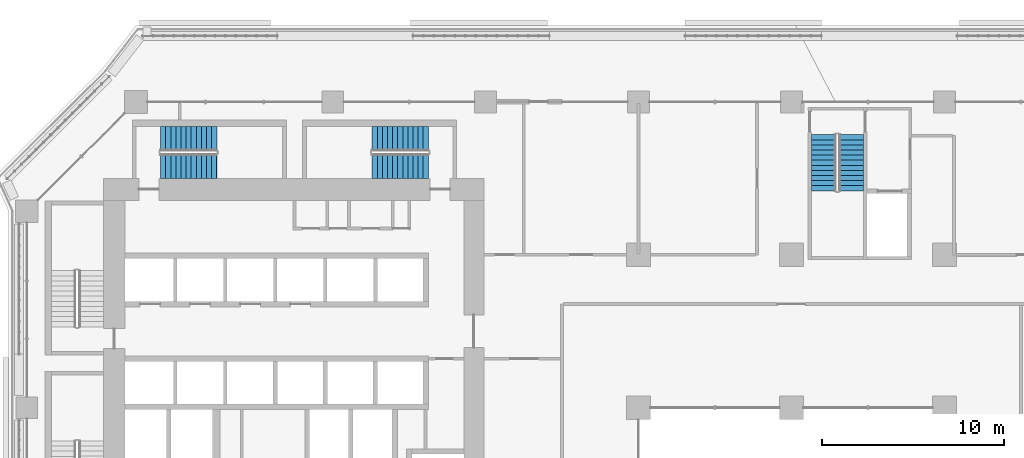
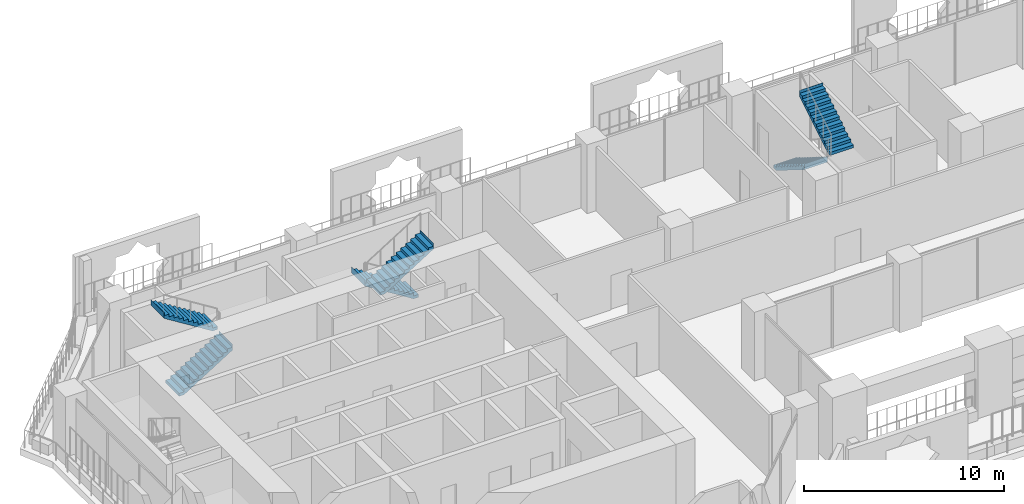
# One storey, part 17 of 27: 6 stair flights, 3 elements without a shape of their own.
"""IFC4 building model written with IfcOpenShell, lengths in metres."""

import ifcopenshell
import ifcopenshell.guid

model = None  # the IFC model being written
_history = None  # IfcOwnerHistory: only IFC2X3 demands one
_inside = {}  # id of a spatial element -> (the spatial element, [elements in it])
_under = {}  # id of a project, library or spatial element -> (it, [spatial elements below it])
_declared = {}  # id of a project -> (the project, [libraries it declares])
_typed = {}  # id of a type object -> (the type object, [elements of that type])
_made_of = {}  # id of a material, layer set ... -> (it, [elements and type objects made of it])


def new_model(schema):
    """Start an empty IFC model of exactly this schema.

    Asked for "IFC4X3", IfcOpenShell would pick the latest addendum, in which some entities
    have other attributes; the version numbers below select the first issue.
    IFC2X3 requires an IfcOwnerHistory on every rooted entity: one is made here for all.
    """
    global model, _history
    if schema == "IFC4X3":
        model = ifcopenshell.file(schema_version=(4, 3, 0, 0))
    else:
        model = ifcopenshell.file(schema=schema)
    _inside.clear()
    _under.clear()
    _declared.clear()
    _typed.clear()
    _made_of.clear()
    _history = None
    if model.schema == "IFC2X3":
        org = make("IfcOrganization", Name="unknown")
        user = make(
            "IfcPersonAndOrganization",
            ThePerson=make("IfcPerson", FamilyName="unknown"),
            TheOrganization=org,
        )
        app = make(
            "IfcApplication",
            ApplicationDeveloper=org,
            Version="unknown",
            ApplicationFullName="unknown",
            ApplicationIdentifier="unknown",
        )
        _history = make(
            "IfcOwnerHistory",
            OwningUser=user,
            OwningApplication=app,
            ChangeAction="ADDED",
            CreationDate=0,
        )
    return model


def make(cls, **values):
    """One entity of the class cls with the attributes given. An attribute that is None is left unset."""
    return model.create_entity(
        cls, **{name: value for name, value in values.items() if value is not None}
    )


def rooted(cls, **values):
    """An entity with a GlobalId (a new one), such as an element, a storey or a relation."""
    return make(cls, GlobalId=ifcopenshell.guid.new(), OwnerHistory=_history, **values)


def si_unit(unit_type, name, prefix=None):
    """IfcSIUnit, for example si_unit("LENGTHUNIT", "METRE", prefix="MILLI")."""
    return make("IfcSIUnit", UnitType=unit_type, Prefix=prefix, Name=name)


def assignment(units):
    """IfcUnitAssignment: the units of a project."""
    return None if units is None else make("IfcUnitAssignment", Units=units)


def point(xyz):
    """IfcCartesianPoint."""
    return None if xyz is None else make("IfcCartesianPoint", Coordinates=xyz)


def direction(xyz):
    """IfcDirection."""
    return None if xyz is None else make("IfcDirection", DirectionRatios=xyz)


def frame(location, z_axis=None, x_axis=None):
    """IfcAxis2Placement3D, a coordinate frame: its origin and axes. An axis left out is left unset."""
    return make(
        "IfcAxis2Placement3D",
        Location=point(location),
        Axis=direction(z_axis),
        RefDirection=direction(x_axis),
    )


def origin():
    """The frame at (0, 0, 0) with its axes left unset."""
    return frame((0.0, 0.0, 0.0))


def place(relative_to, where):
    """IfcLocalPlacement: puts the frame where relative to a parent placement (None: the world)."""
    return make(
        "IfcLocalPlacement", PlacementRelTo=relative_to, RelativePlacement=where
    )


def context(
    kind, dimensions, precision=None, world=None, true_north=None, identifier=None
):
    """IfcGeometricRepresentationContext, for example the 3D "Model" context."""
    return make(
        "IfcGeometricRepresentationContext",
        ContextIdentifier=identifier,
        ContextType=kind,
        CoordinateSpaceDimension=dimensions,
        Precision=precision,
        WorldCoordinateSystem=world,
        TrueNorth=true_north,
    )


def subcontext(parent, identifier, kind, view, scale=None):
    """IfcGeometricRepresentationSubContext, for example "Body" below "Model"."""
    return make(
        "IfcGeometricRepresentationSubContext",
        ContextIdentifier=identifier,
        ContextType=kind,
        ParentContext=parent,
        TargetScale=scale,
        TargetView=view,
    )


def project(units=None, contexts=None):
    """IfcProject with its units and contexts."""
    return rooted(
        "IfcProject",
        Name="project",
        RepresentationContexts=contexts,
        UnitsInContext=assignment(units),
    )


def spatial(cls, under=None, at=None, **own):
    """A site, building, storey or space (cls), placed at a placement, below another one or the project."""
    s = rooted(cls, ObjectPlacement=at, **own)
    if under is not None:
        _under.setdefault(under.id(), (under, []))[1].append(s)
    return s


def polyline(points):
    """IfcPolyline through the points."""
    return make("IfcPolyline", Points=[point(p) for p in points])


def outline(outer, holes=None, kind="AREA"):
    """IfcArbitraryClosedProfileDef: a profile drawn as a closed curve; with holes, ...WithVoids."""
    if holes is None:
        return make("IfcArbitraryClosedProfileDef", ProfileType=kind, OuterCurve=outer)
    return make(
        "IfcArbitraryProfileDefWithVoids",
        ProfileType=kind,
        OuterCurve=outer,
        InnerCurves=holes,
    )


def extrude(swept, where, along, depth):
    """IfcExtrudedAreaSolid: the profile swept, set in the frame where, extruded along a direction by depth."""
    return make(
        "IfcExtrudedAreaSolid",
        SweptArea=swept,
        Position=where,
        ExtrudedDirection=direction(along),
        Depth=depth,
    )


def shape(context_of_items, identifier, shape_type, items):
    """IfcShapeRepresentation: the items that make up one representation, for example the "Body"."""
    return make(
        "IfcShapeRepresentation",
        ContextOfItems=context_of_items,
        RepresentationIdentifier=identifier,
        RepresentationType=shape_type,
        Items=items,
    )


def material(Name=None, Category=None):
    """IfcMaterial."""
    return make("IfcMaterial", Name=Name, Category=Category)


def made_of(thing, what):
    """Note that an element or type object is made of a material, layer set ...; save() writes the relation."""
    if what is not None:
        _made_of.setdefault(what.id(), (what, []))[1].append(thing)
    return thing


def type_object(cls, material=None, **own):
    """A type object (cls), such as IfcWallType, which elements share."""
    return made_of(rooted(cls, **own), material)


def element(
    cls,
    number,
    at=None,
    inside=None,
    cuts=None,
    type_object=None,
    material=None,
    context=None,
    identifier="Body",
    shape_type=None,
    held_by="IfcProductDefinitionShape",
    body=None,
    shapes=None,
    **own,
):
    """One element of the class cls, such as IfcWall. Its Tag is "e" and its number.

    at: its placement. inside: the storey or other place that contains it. cuts: it is an
    opening in that element (IfcRelVoidsElement). A single representation is given by context,
    identifier, shape_type and body (its items); several are given by shapes. held_by: the class
    of the entity that holds the representations. save() writes the other relations.
    """
    e = rooted(cls, Tag="e%d" % number, ObjectPlacement=at, **own)
    if body is not None:
        shapes = [shape(context, identifier, shape_type, body)]
    if shapes is not None:
        e.Representation = make(held_by, Representations=shapes)
    if inside is not None:
        _inside.setdefault(inside.id(), (inside, []))[1].append(e)
    if cuts is not None:
        rooted(
            "IfcRelVoidsElement", RelatingBuildingElement=cuts, RelatedOpeningElement=e
        )
    if type_object is not None:
        _typed.setdefault(type_object.id(), (type_object, []))[1].append(e)
    return made_of(e, material)


def aggregate(whole, parts):
    """IfcRelAggregates: a whole, such as a stair, and the parts it consists of."""
    return rooted("IfcRelAggregates", RelatingObject=whole, RelatedObjects=parts)


def save(model, path):
    """Write the relations noted so far, then the file.

    IfcRelAggregates (storeys below a building ...), IfcRelContainedInSpatialStructure (elements
    in a storey), IfcRelDefinesByType, IfcRelAssociatesMaterial and IfcRelDeclares: one each for
    every whole, place, type object, material and project.
    """
    for whole, parts in _under.values():
        aggregate(whole, parts)
    for where, things in _inside.values():
        rooted(
            "IfcRelContainedInSpatialStructure",
            RelatedElements=things,
            RelatingStructure=where,
        )
    for kind, things in _typed.values():
        rooted("IfcRelDefinesByType", RelatedObjects=things, RelatingType=kind)
    for what, things in _made_of.values():
        rooted("IfcRelAssociatesMaterial", RelatedObjects=things, RelatingMaterial=what)
    for by, libraries in _declared.values():
        rooted("IfcRelDeclares", RelatingContext=by, RelatedDefinitions=libraries)
    model.write(path)


model = new_model("IFC4")

# Units and contexts
model_context = context("Model", 3, precision=1e-05, world=origin(), true_north=direction((0.0, 1.0)))
body_context = subcontext(model_context, "Body", "Model", "MODEL_VIEW")
ifc_project = project(units=[si_unit("LENGTHUNIT", "METRE"), si_unit("AREAUNIT", "SQUARE_METRE"), si_unit("VOLUMEUNIT", "CUBIC_METRE"), si_unit("PLANEANGLEUNIT", "RADIAN"), si_unit("MASSUNIT", "GRAM", prefix="KILO")], contexts=[model_context])

# Site, building, storey
site_placement = place(None, origin())
site = spatial("IfcSite", under=ifc_project, at=site_placement, CompositionType="ELEMENT")
building_placement = place(site_placement, origin())
building = spatial("IfcBuilding", under=site, at=building_placement, Name="Kawkab Arch Medical Tower", CompositionType="ELEMENT")
storey_placement = place(building_placement, frame((0.0, 0.0, 43.39990234375)))
storey = spatial("IfcBuildingStorey", under=building, at=storey_placement, Name="L09", CompositionType="ELEMENT", Elevation=43.39990234375)

# Stair, stair flights
ifc_material_1 = material(Name="Concrete C40/50", Category="concrete")
stair_type = type_object("IfcStairType", Name="Exit stair 1350", PredefinedType="HALF_TURN_STAIR", material=ifc_material_1)
placement = place(storey_placement, origin())
stair_1 = element("IfcStair", 1, at=placement, inside=storey, type_object=stair_type, Name="L09 Exit stair ST3", PredefinedType="HALF_TURN_STAIR")
ifc_material_2 = material(Name="Concrete C40/50", Category="concrete")
stair_flight_type = type_object("IfcStairFlightType", Name="Exit stair flight 1350", PredefinedType="STRAIGHT", material=ifc_material_2)
stair_flight_1_placement = place(storey_placement, frame((7.35009765625, -3.52490234375, 0.0), z_axis=(0.0, 0.0, 1.0), x_axis=(1.0, 0.0, 0.0)))
stair_flight_1 = element("IfcStairFlight", 2, at=stair_flight_1_placement, type_object=stair_flight_type, Name="ST3 flight 1", NumberOfRisers=12, NumberOfTreads=11, PredefinedType="STRAIGHT", RiserHeight=0.175, TreadLength=0.28, context=body_context, shape_type="SweptSolid", body=[
    extrude(outline(polyline([(-0.0029296875, 0.0), (-0.0029296875, 0.175048828125), (0.0, 0.175048828125), (0.280029296875, 0.175048828125), (0.280029296875, 0.35009765625), (0.56005859375, 0.35009765625), (0.56005859375, 0.52490234375), (0.840087890625, 0.52490234375), (0.840087890625, 0.699951171875), (1.1201171875, 0.699951171875), (1.1201171875, 0.875), (1.39990234375, 0.875), (1.39990234375, 1.050048828125), (1.679931640625, 1.050048828125), (1.679931640625, 1.22509765625), (1.9599609375, 1.22509765625), (1.9599609375, 1.39990234375), (2.239990234375, 1.39990234375), (2.239990234375, 1.574951171875), (2.52001953125, 1.574951171875), (2.52001953125, 1.75), (2.800048828125, 1.75), (2.800048828125, 1.925048828125), (3.080078125, 1.925048828125), (3.080078125, 2.10009765625), (3.0830078125, 2.10009765625), (3.0830078125, 1.748291015625), (3.080078125, 1.748291015625), (0.28271484375, 0.0), (-0.0029296875, 0.0)])), frame((0.0, 0.675048828125, 0.0), z_axis=(0.0, -1.0, 0.0), x_axis=(1.0, 0.0, 0.0)), (0.0, 0.0, 1.0), 1.35009765625),
])
stair_flight_2_placement = place(storey_placement, frame((10.429931640625, -2.02490234375, 2.10009765625), z_axis=(0.0, 0.0, 1.0), x_axis=(-1.0, 0.0, 0.0)))
stair_flight_2 = element("IfcStairFlight", 3, at=stair_flight_2_placement, type_object=stair_flight_type, Name="ST3 flight 2", NumberOfRisers=12, NumberOfTreads=11, PredefinedType="STRAIGHT", RiserHeight=0.175, TreadLength=0.28, context=body_context, shape_type="SweptSolid", body=[
    extrude(outline(polyline([(-0.0029296875, 0.0), (-0.0029296875, 0.175048828125), (0.0, 0.175048828125), (0.280029296875, 0.175048828125), (0.280029296875, 0.35009765625), (0.56005859375, 0.35009765625), (0.56005859375, 0.52490234375), (0.840087890625, 0.52490234375), (0.840087890625, 0.699951171875), (1.1201171875, 0.699951171875), (1.1201171875, 0.875), (1.39990234375, 0.875), (1.39990234375, 1.050048828125), (1.679931640625, 1.050048828125), (1.679931640625, 1.22509765625), (1.9599609375, 1.22509765625), (1.9599609375, 1.39990234375), (2.239990234375, 1.39990234375), (2.239990234375, 1.574951171875), (2.52001953125, 1.574951171875), (2.52001953125, 1.75), (2.800048828125, 1.75), (2.800048828125, 1.925048828125), (3.080078125, 1.925048828125), (3.080078125, 2.10009765625), (3.0830078125, 2.10009765625), (3.0830078125, 1.748291015625), (3.080078125, 1.748291015625), (0.28271484375, 0.0), (-0.0029296875, 0.0)])), frame((0.0, 0.675048828125, 0.0), z_axis=(0.0, -1.0, 0.0), x_axis=(1.0, 0.0, 0.0)), (0.0, 0.0, 1.0), 1.35009765625),
])
aggregate(stair_1, [stair_flight_1, stair_flight_2])

stair_2 = element("IfcStair", 4, at=placement, inside=storey, type_object=stair_type, Name="L09 Exit stair ST4", PredefinedType="HALF_TURN_STAIR")
stair_flight_3_placement = place(storey_placement, frame((22.050048828125, -2.02490234375, 0.0), z_axis=(0.0, 0.0, 1.0), x_axis=(-1.0, 0.0, 0.0)))
stair_flight_3 = element("IfcStairFlight", 5, at=stair_flight_3_placement, type_object=stair_flight_type, Name="ST4 flight 1", NumberOfRisers=12, NumberOfTreads=11, PredefinedType="STRAIGHT", RiserHeight=0.175, TreadLength=0.28, context=body_context, shape_type="SweptSolid", body=[
    extrude(outline(polyline([(-0.0029296875, 0.0), (-0.0029296875, 0.175048828125), (0.0, 0.175048828125), (0.280029296875, 0.175048828125), (0.280029296875, 0.35009765625), (0.56005859375, 0.35009765625), (0.56005859375, 0.52490234375), (0.840087890625, 0.52490234375), (0.840087890625, 0.699951171875), (1.1201171875, 0.699951171875), (1.1201171875, 0.875), (1.39990234375, 0.875), (1.39990234375, 1.050048828125), (1.679931640625, 1.050048828125), (1.679931640625, 1.22509765625), (1.9599609375, 1.22509765625), (1.9599609375, 1.39990234375), (2.239990234375, 1.39990234375), (2.239990234375, 1.574951171875), (2.52001953125, 1.574951171875), (2.52001953125, 1.75), (2.800048828125, 1.75), (2.800048828125, 1.925048828125), (3.080078125, 1.925048828125), (3.080078125, 2.10009765625), (3.0830078125, 2.10009765625), (3.0830078125, 1.748291015625), (3.080078125, 1.748291015625), (0.28271484375, 0.0), (-0.0029296875, 0.0)])), frame((0.0, 0.675048828125, 0.0), z_axis=(0.0, -1.0, 0.0), x_axis=(1.0, 0.0, 0.0)), (0.0, 0.0, 1.0), 1.35009765625),
])
stair_flight_4_placement = place(storey_placement, frame((18.969970703125, -3.52490234375, 2.10009765625), z_axis=(0.0, 0.0, 1.0), x_axis=(1.0, 0.0, 0.0)))
stair_flight_4 = element("IfcStairFlight", 6, at=stair_flight_4_placement, type_object=stair_flight_type, Name="ST4 flight 2", NumberOfRisers=12, NumberOfTreads=11, PredefinedType="STRAIGHT", RiserHeight=0.175, TreadLength=0.28, context=body_context, shape_type="SweptSolid", body=[
    extrude(outline(polyline([(-0.0029296875, 0.0), (-0.0029296875, 0.175048828125), (0.0, 0.175048828125), (0.280029296875, 0.175048828125), (0.280029296875, 0.35009765625), (0.56005859375, 0.35009765625), (0.56005859375, 0.52490234375), (0.840087890625, 0.52490234375), (0.840087890625, 0.699951171875), (1.1201171875, 0.699951171875), (1.1201171875, 0.875), (1.39990234375, 0.875), (1.39990234375, 1.050048828125), (1.679931640625, 1.050048828125), (1.679931640625, 1.22509765625), (1.9599609375, 1.22509765625), (1.9599609375, 1.39990234375), (2.239990234375, 1.39990234375), (2.239990234375, 1.574951171875), (2.52001953125, 1.574951171875), (2.52001953125, 1.75), (2.800048828125, 1.75), (2.800048828125, 1.925048828125), (3.080078125, 1.925048828125), (3.080078125, 2.10009765625), (3.0830078125, 2.10009765625), (3.0830078125, 1.748291015625), (3.080078125, 1.748291015625), (0.28271484375, 0.0), (-0.0029296875, 0.0)])), frame((0.0, 0.675048828125, 0.0), z_axis=(0.0, -1.0, 0.0), x_axis=(1.0, 0.0, 0.0)), (0.0, 0.0, 1.0), 1.35009765625),
])
aggregate(stair_2, [stair_flight_3, stair_flight_4])

stair_3 = element("IfcStair", 7, at=placement, inside=storey, type_object=stair_type, Name="L09 Exit stair ST5", PredefinedType="HALF_TURN_STAIR")
stair_flight_5_placement = place(storey_placement, frame((43.77490234375, -1.800048828125, 0.0), z_axis=(0.0, 0.0, 1.0), x_axis=(0.0, -1.0, 0.0)))
stair_flight_5 = element("IfcStairFlight", 8, at=stair_flight_5_placement, type_object=stair_flight_type, Name="ST5 flight 1", NumberOfRisers=12, NumberOfTreads=11, PredefinedType="STRAIGHT", RiserHeight=0.175, TreadLength=0.28, context=body_context, shape_type="SweptSolid", body=[
    extrude(outline(polyline([(-0.0029296875, 0.0), (-0.0029296875, 0.175048828125), (0.0, 0.175048828125), (0.280029296875, 0.175048828125), (0.280029296875, 0.35009765625), (0.56005859375, 0.35009765625), (0.56005859375, 0.52490234375), (0.840087890625, 0.52490234375), (0.840087890625, 0.699951171875), (1.1201171875, 0.699951171875), (1.1201171875, 0.875), (1.39990234375, 0.875), (1.39990234375, 1.050048828125), (1.679931640625, 1.050048828125), (1.679931640625, 1.22509765625), (1.9599609375, 1.22509765625), (1.9599609375, 1.39990234375), (2.239990234375, 1.39990234375), (2.239990234375, 1.574951171875), (2.52001953125, 1.574951171875), (2.52001953125, 1.75), (2.800048828125, 1.75), (2.800048828125, 1.925048828125), (3.080078125, 1.925048828125), (3.080078125, 2.10009765625), (3.0830078125, 2.10009765625), (3.0830078125, 1.748291015625), (3.080078125, 1.748291015625), (0.28271484375, 0.0), (-0.0029296875, 0.0)])), frame((0.0, 0.675048828125, 0.0), z_axis=(0.0, -1.0, 0.0), x_axis=(1.0, 0.0, 0.0)), (0.0, 0.0, 1.0), 1.35009765625),
])
stair_flight_6_placement = place(storey_placement, frame((45.27490234375, -4.8798828125, 2.10009765625), z_axis=(0.0, 0.0, 1.0), x_axis=(0.0, 1.0, 0.0)))
stair_flight_6 = element("IfcStairFlight", 9, at=stair_flight_6_placement, type_object=stair_flight_type, Name="ST5 flight 2", NumberOfRisers=12, NumberOfTreads=11, PredefinedType="STRAIGHT", RiserHeight=0.175, TreadLength=0.28, context=body_context, shape_type="SweptSolid", body=[
    extrude(outline(polyline([(-0.0029296875, 0.0), (-0.0029296875, 0.175048828125), (0.0, 0.175048828125), (0.280029296875, 0.175048828125), (0.280029296875, 0.35009765625), (0.56005859375, 0.35009765625), (0.56005859375, 0.52490234375), (0.840087890625, 0.52490234375), (0.840087890625, 0.699951171875), (1.1201171875, 0.699951171875), (1.1201171875, 0.875), (1.39990234375, 0.875), (1.39990234375, 1.050048828125), (1.679931640625, 1.050048828125), (1.679931640625, 1.22509765625), (1.9599609375, 1.22509765625), (1.9599609375, 1.39990234375), (2.239990234375, 1.39990234375), (2.239990234375, 1.574951171875), (2.52001953125, 1.574951171875), (2.52001953125, 1.75), (2.800048828125, 1.75), (2.800048828125, 1.925048828125), (3.080078125, 1.925048828125), (3.080078125, 2.10009765625), (3.0830078125, 2.10009765625), (3.0830078125, 1.748291015625), (3.080078125, 1.748291015625), (0.28271484375, 0.0), (-0.0029296875, 0.0)])), frame((0.0, 0.675048828125, 0.0), z_axis=(0.0, -1.0, 0.0), x_axis=(1.0, 0.0, 0.0)), (0.0, 0.0, 1.0), 1.35009765625),
])
aggregate(stair_3, [stair_flight_5, stair_flight_6])

save(model, "model.ifc")
